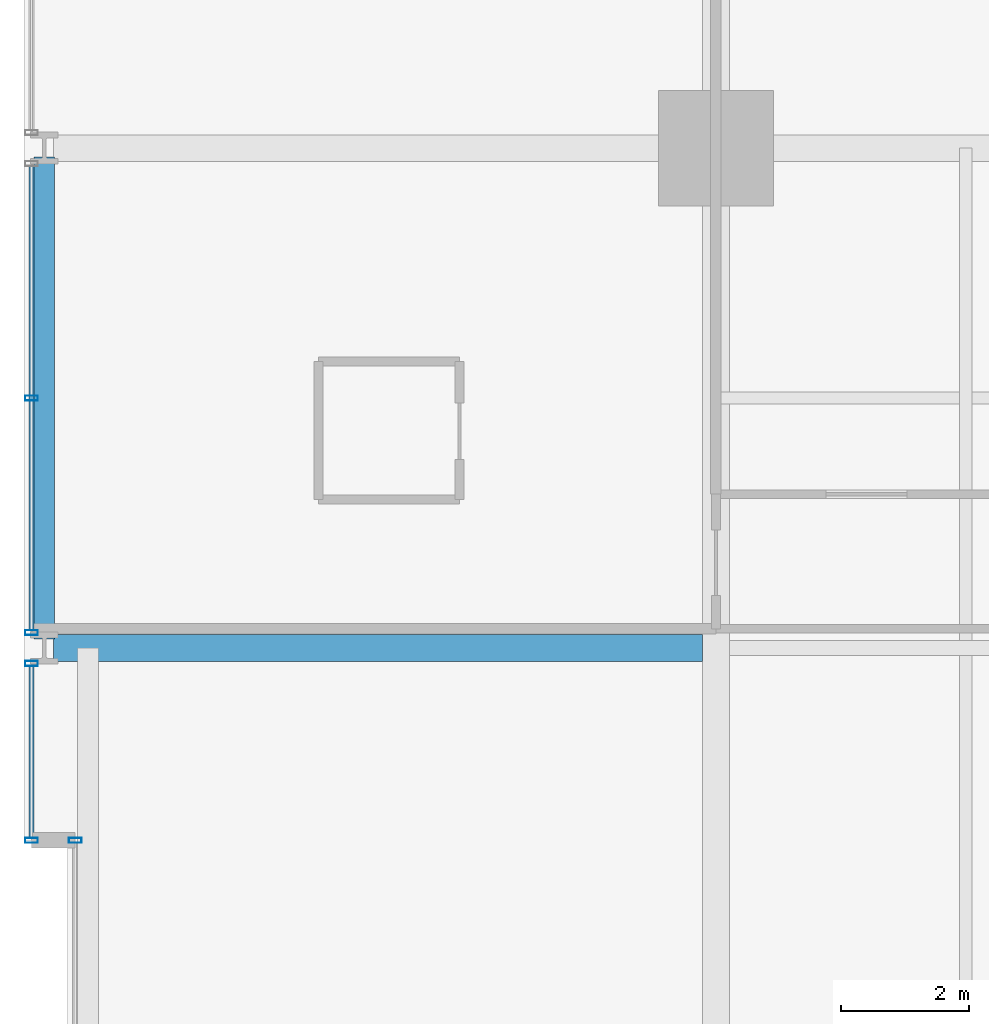
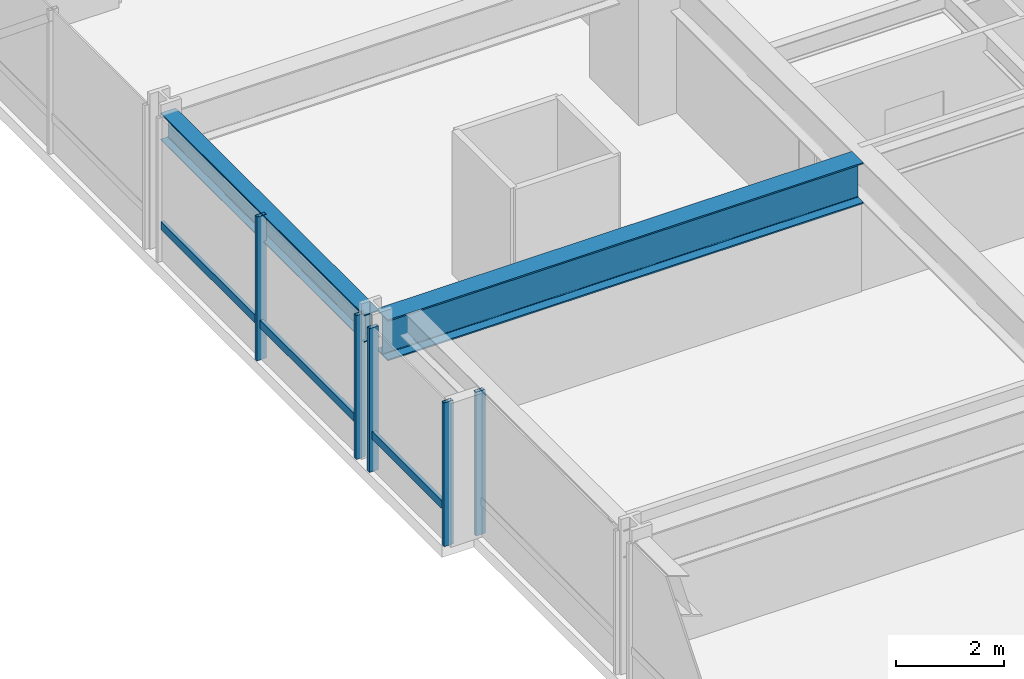
# One storey, part 17 of 38: 7 members, 2 beams, 3 elements without a shape of their own.
"""IFC4 building model written with IfcOpenShell, lengths in metres."""

from ifc_helpers import new_model, si_unit, direction, frame, origin, origin_2d, place, context, subcontext, project, spatial, hollow_rectangle, i_section, extrude, material, layer, layer_set, material_profile, profile_set, type_object, element, aggregate, save


model = new_model("IFC4")

# Units and contexts
model_context = context("Model", 3, precision=1e-05, world=origin(), true_north=direction((0.0, 1.0)))
body_context = subcontext(model_context, "Body", "Model", "MODEL_VIEW")
ifc_project = project(units=[si_unit("LENGTHUNIT", "METRE"), si_unit("AREAUNIT", "SQUARE_METRE"), si_unit("VOLUMEUNIT", "CUBIC_METRE"), si_unit("PLANEANGLEUNIT", "RADIAN"), si_unit("MASSUNIT", "GRAM", prefix="KILO")], contexts=[model_context])

# Site, building, storey
site_placement = place(None, origin())
site = spatial("IfcSite", under=ifc_project, at=site_placement, CompositionType="ELEMENT")
building_placement = place(site_placement, origin())
building = spatial("IfcBuilding", under=site, at=building_placement, Name="Drelvath Grand Hotel", CompositionType="ELEMENT")
storey_placement = place(building_placement, frame((0.0, 0.0, 47.199951171875)))
storey = spatial("IfcBuildingStorey", under=building, at=storey_placement, Name="L10", CompositionType="ELEMENT", Elevation=47.199951171875)

# Curtain wall, member
ifc_material_1 = material(Name="Warm Bronze Anodised Aluminium Frame", Category="aluminium")
ifc_layer = layer(ifc_material_1, 0.199951171875)
ifc_layer_set = layer_set([ifc_layer], Name="Warm Bronze Anodised Aluminium Frame")
curtain_wall_type = type_object("IfcCurtainWallType", Name="Stick Curtain Wall CW-02 Warm Bronze Low-Rise", PredefinedType="NOTDEFINED", material=ifc_layer_set)
curtain_wall_1_placement = place(storey_placement, origin())
curtain_wall_1 = element("IfcCurtainWall", 1, at=curtain_wall_1_placement, inside=storey, type_object=curtain_wall_type, Name="L10 CW-02 Curtain Wall CW02-L10-WN1", PredefinedType="NOTDEFINED")
ifc_material_profile_1 = material_profile(ifc_material_1, hollow_rectangle(XDim=0.074951171875, YDim=0.179931640625, WallThickness=0.0048828125, at=origin_2d()), Name="HSS180X75X5")
ifc_profile_set_1 = profile_set([ifc_material_profile_1], Name="Warm Bronze Anodised Aluminium Frame")
member_type_1 = type_object("IfcMemberType", Name="Curtain Wall Horizontal Transom CW-02 HSS180X75X5", PredefinedType="USERDEFINED", material=ifc_profile_set_1)
member_1_placement = place(storey_placement, frame((-26.8798828125, 32.43994140625, 0.81005859375), z_axis=(0.0, 1.0, 0.0), x_axis=(-1.0, 0.0, 0.0)))
member_1 = element("IfcMember", 2, at=member_1_placement, type_object=member_type_1, Name="CW02-L10-WN1 Sill Transom", ObjectType="TRANSOM", PredefinedType="USERDEFINED", context=body_context, shape_type="SweptSolid", body=[
    extrude(hollow_rectangle(XDim=0.074951171875, YDim=0.179931640625, WallThickness=0.0048828125, at=origin_2d()), origin(), (0.0, 0.0, 1.0), 2.67919921875),
])

curtain_wall_2_placement = place(storey_placement, origin())
curtain_wall_2 = element("IfcCurtainWall", 3, at=curtain_wall_2_placement, inside=storey, type_object=curtain_wall_type, Name="L10 CW-02 Curtain Wall CW02-L10-WN2", PredefinedType="NOTDEFINED")
member_2_placement = place(storey_placement, frame((-26.8798828125, 35.680908203125, 0.81005859375), z_axis=(0.0, 1.0, 0.0), x_axis=(-1.0, 0.0, 0.0)))
member_2 = element("IfcMember", 4, at=member_2_placement, type_object=member_type_1, Name="CW02-L10-WN2 Sill Transom", ObjectType="TRANSOM", PredefinedType="USERDEFINED", context=body_context, shape_type="SweptSolid", body=[
    extrude(hollow_rectangle(XDim=0.074951171875, YDim=0.179931640625, WallThickness=0.0048828125, at=origin_2d()), origin(), (0.0, 0.0, 1.0), 7.23828125),
])

curtain_wall_3_placement = place(storey_placement, origin())
curtain_wall_3 = element("IfcCurtainWall", 5, at=curtain_wall_3_placement, inside=storey, type_object=curtain_wall_type, Name="L10 CW-02 Curtain Wall CW02-L10-WM2", PredefinedType="NOTDEFINED")
ifc_material_profile_2 = material_profile(ifc_material_1, hollow_rectangle(XDim=0.080078125, YDim=0.199951171875, WallThickness=0.0048828125, at=origin_2d()), Name="HSS200X80X5")
ifc_profile_set_2 = profile_set([ifc_material_profile_2], Name="Warm Bronze Anodised Aluminium Frame")
member_type_2 = type_object("IfcMemberType", Name="Curtain Wall Vertical Mullion CW-02 HSS200X80X5", PredefinedType="MULLION", material=ifc_profile_set_2)
member_3_placement = place(storey_placement, frame((-26.199951171875, 32.39990234375, 0.0), z_axis=(0.0, 0.0, 1.0), x_axis=(0.0, 1.0, 0.0)))
member_3 = element("IfcMember", 6, at=member_3_placement, type_object=member_type_2, Name="CW02-L10-WM2 Mullion 2", PredefinedType="MULLION", context=body_context, shape_type="SweptSolid", body=[
    extrude(hollow_rectangle(XDim=0.080078125, YDim=0.199951171875, WallThickness=0.0048828125, at=origin_2d()), origin(), (0.0, 0.0, 1.0), 3.239990234375),
])
aggregate(curtain_wall_3, [member_3])

# Member
member_4_placement = place(storey_placement, frame((-26.8798828125, 32.39990234375, 0.0), z_axis=(0.0, 0.0, 1.0), x_axis=(0.0, 1.0, 0.0)))
member_4 = element("IfcMember", 7, at=member_4_placement, type_object=member_type_2, Name="CW02-L10-WN1 Mullion 1", PredefinedType="MULLION", context=body_context, shape_type="SweptSolid", body=[
    extrude(hollow_rectangle(XDim=0.080078125, YDim=0.199951171875, WallThickness=0.0048828125, at=origin_2d()), origin(), (0.0, 0.0, 1.0), 3.239990234375),
])

member_5_placement = place(storey_placement, frame((-26.8798828125, 35.1591796875, 0.0), z_axis=(0.0, 0.0, 1.0), x_axis=(0.0, 1.0, 0.0)))
member_5 = element("IfcMember", 8, at=member_5_placement, type_object=member_type_2, Name="CW02-L10-WN1 Mullion 2", PredefinedType="MULLION", context=body_context, shape_type="SweptSolid", body=[
    extrude(hollow_rectangle(XDim=0.080078125, YDim=0.199951171875, WallThickness=0.0048828125, at=origin_2d()), origin(), (0.0, 0.0, 1.0), 3.239990234375),
])

aggregate(curtain_wall_1, [member_4, member_5, member_1])

member_6_placement = place(storey_placement, frame((-26.8798828125, 35.640869140625, 0.0), z_axis=(0.0, 0.0, 1.0), x_axis=(0.0, 1.0, 0.0)))
member_6 = element("IfcMember", 9, at=member_6_placement, type_object=member_type_2, Name="CW02-L10-WN2 Mullion 1", PredefinedType="MULLION", context=body_context, shape_type="SweptSolid", body=[
    extrude(hollow_rectangle(XDim=0.080078125, YDim=0.199951171875, WallThickness=0.0048828125, at=origin_2d()), origin(), (0.0, 0.0, 1.0), 3.239990234375),
])

member_7_placement = place(storey_placement, frame((-26.8798828125, 39.300048828125, 0.0), z_axis=(0.0, 0.0, 1.0), x_axis=(0.0, 1.0, 0.0)))
member_7 = element("IfcMember", 10, at=member_7_placement, type_object=member_type_2, Name="CW02-L10-WN2 Mullion 2", PredefinedType="MULLION", context=body_context, shape_type="SweptSolid", body=[
    extrude(hollow_rectangle(XDim=0.080078125, YDim=0.199951171875, WallThickness=0.0048828125, at=origin_2d()), origin(), (0.0, 0.0, 1.0), 3.239990234375),
])

aggregate(curtain_wall_2, [member_6, member_7, member_2])

# Beams
ifc_material_2 = material(Name="Steel ASTM A992 Gr 50", Category="steel")
ifc_material_profile_3 = material_profile(ifc_material_2, i_section(OverallWidth=0.323974609375, OverallDepth=0.611083984375, WebThickness=0.0126953125, FlangeThickness=0.01904296875, FilletRadius=0.02197265625, at=origin_2d()), Name="W24X104")
ifc_profile_set_3 = profile_set([ifc_material_profile_3], Name="Steel ASTM A992 Gr 50")
beam_type_1 = type_object("IfcBeamType", Name="Perimeter Spandrel Beam W24X104", PredefinedType="SPANDREL", material=ifc_profile_set_3)
beam_1_placement = place(storey_placement, frame((-26.679931640625, 35.5400390625, 2.9345703125), z_axis=(0.0, 1.0, 0.0), x_axis=(-1.0, 0.0, 0.0)))
element("IfcBeam", 11, at=beam_1_placement, inside=storey, type_object=beam_type_1, Name="L10 Spandrel West N", PredefinedType="SPANDREL", context=body_context, shape_type="SweptSolid", body=[
    extrude(i_section(OverallWidth=0.323974609375, OverallDepth=0.611083984375, WebThickness=0.0126953125, FlangeThickness=0.01904296875, FilletRadius=0.02197265625, at=origin_2d()), origin(), (0.0, 0.0, 1.0), 7.52001953125),
])
ifc_material_profile_4 = material_profile(ifc_material_2, i_section(OverallWidth=0.418212890625, OverallDepth=0.926513671875, WebThickness=0.019287109375, FlangeThickness=0.031982421875, FilletRadius=0.028076171875, at=origin_2d()), Name="W36X231")
ifc_profile_set_4 = profile_set([ifc_material_profile_4], Name="Steel ASTM A992 Gr 50")
beam_type_2 = type_object("IfcBeamType", Name="Primary Floor Girder W36X231", PredefinedType="BEAM", material=ifc_profile_set_4)
beam_2_placement = place(storey_placement, frame((-26.5400390625, 35.39990234375, 2.77685546875), z_axis=(1.0, 0.0, 0.0), x_axis=(0.0, 1.0, 0.0)))
element("IfcBeam", 12, at=beam_2_placement, inside=storey, type_object=beam_type_2, Name="L10 West Wing Girder F", PredefinedType="BEAM", context=body_context, shape_type="SweptSolid", body=[
    extrude(i_section(OverallWidth=0.418212890625, OverallDepth=0.926513671875, WebThickness=0.019287109375, FlangeThickness=0.031982421875, FilletRadius=0.028076171875, at=origin_2d()), origin(), (0.0, 0.0, 1.0), 10.130859375),
])

save(model, "model.ifc")
